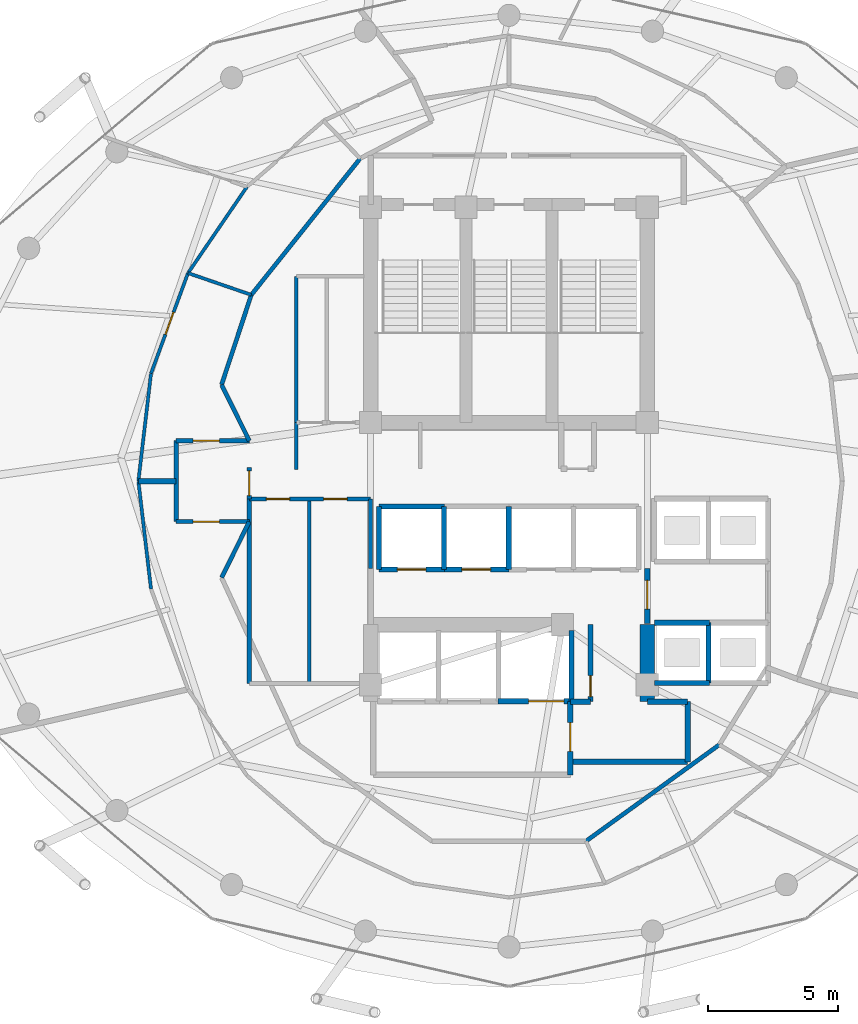
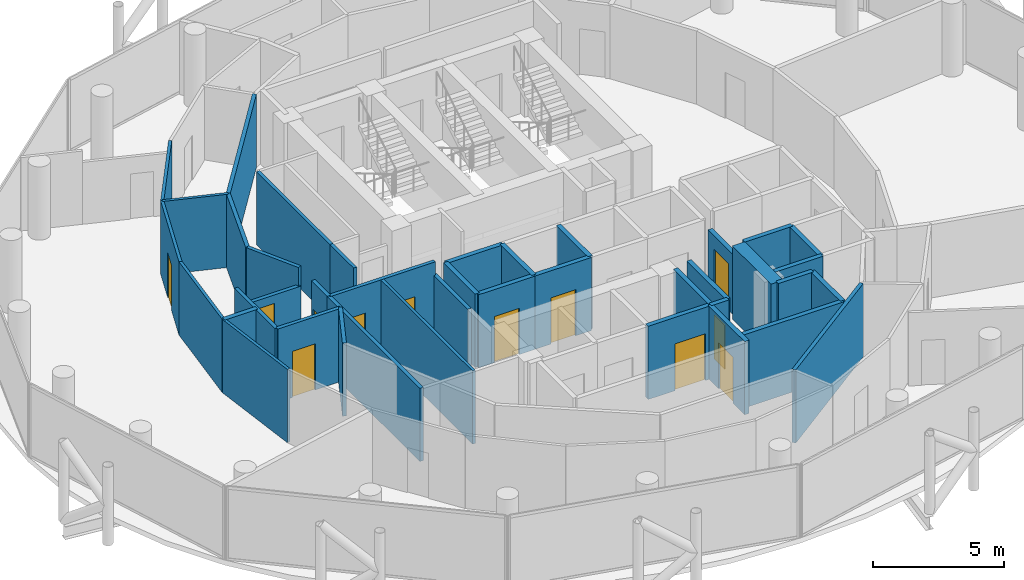
# One storey, part 23 of 27: 40 walls, 12 doors, 12 openings.
"""IFC4 building model written with IfcOpenShell, lengths in metres."""

from ifc_helpers import new_model, si_unit, direction, frame, frame_2d, origin, place, context, subcontext, project, spatial, rectangle, extrude, material, layer, layer_set, type_object, element, fill, save


model = new_model("IFC4")

# Units and contexts
model_context = context("Model", 3, precision=1e-05, world=origin(), true_north=direction((0.0, 1.0)))
body_context = subcontext(model_context, "Body", "Model", "MODEL_VIEW")
ifc_project = project(units=[si_unit("LENGTHUNIT", "METRE"), si_unit("AREAUNIT", "SQUARE_METRE"), si_unit("VOLUMEUNIT", "CUBIC_METRE"), si_unit("PLANEANGLEUNIT", "RADIAN"), si_unit("MASSUNIT", "GRAM", prefix="KILO")], contexts=[model_context])

# Site, building, storey
site_placement = place(None, origin())
site = spatial("IfcSite", under=ifc_project, at=site_placement, CompositionType="ELEMENT")
building_placement = place(site_placement, origin())
building = spatial("IfcBuilding", under=site, at=building_placement, Name="Nuhasar Tower", CompositionType="ELEMENT")
storey_placement = place(building_placement, frame((0.0, 0.0, 208.14990234375)))
storey = spatial("IfcBuildingStorey", under=building, at=storey_placement, Name="L50", CompositionType="ELEMENT", Elevation=208.14990234375)

# Walls
ifc_material_1 = material(Name="Concrete C55/67", Category="concrete")
ifc_layer_1 = layer(ifc_material_1, 0.550048828125)
ifc_layer_set_1 = layer_set([ifc_layer_1], Name="Concrete C55/67")
wall_type_1 = type_object("IfcWallType", Name="WL-CORE-550", PredefinedType="SHEAR", material=ifc_layer_set_1)
wall_1_placement = place(storey_placement, frame((44.300048828125, 18.35009765625, 0.0), z_axis=(0.0, 0.0, 1.0), x_axis=(0.0, 1.0, 0.0)))
element("IfcWall", 1, at=wall_1_placement, inside=storey, type_object=wall_type_1, Name="L50 Core Shear Wall CW-SE CW-550", PredefinedType="SHEAR", context=body_context, shape_type="SweptSolid", body=[
    extrude(rectangle(XDim=2.949951171875, YDim=0.550048828125, at=frame_2d((1.47509765625, 0.0))), origin(), (0.0, 0.0, 1.0), 3.41015625),
])
ifc_material_2 = material(Name="Gypsum Board", Category="gypsum")
ifc_layer_2 = layer(ifc_material_2, 0.159912109375)
ifc_layer_set_2 = layer_set([ifc_layer_2], Name="Gypsum Board")
wall_type_2 = type_object("IfcWallType", Name="WL-CORR-160", PredefinedType="PARTITIONING", material=ifc_layer_set_2)
wall_2_placement = place(storey_placement, frame((29.050048828125, 19.050048828125, 0.0), z_axis=(0.0, 0.0, 1.0), x_axis=(0.0, 1.0, 0.0)))
element("IfcWall", 2, at=wall_2_placement, inside=storey, type_object=wall_type_2, Name="L50 Interior Partition RECL-B1-W", PredefinedType="PARTITIONING", context=body_context, shape_type="SweptSolid", body=[
    extrude(rectangle(XDim=7.070068359375, YDim=0.159912109375, at=frame_2d((3.53515625, 0.0))), origin(), (0.0, 0.0, 1.0), 3.41015625),
])
wall_3_placement = place(storey_placement, frame((33.699951171875, 23.449951171875, 0.0), z_axis=(0.0, 0.0, 1.0), x_axis=(0.0, 1.0, 0.0)))
element("IfcWall", 3, at=wall_3_placement, inside=storey, type_object=wall_type_2, Name="L50 Interior Partition RECL-B1-E", PredefinedType="PARTITIONING", context=body_context, shape_type="SweptSolid", body=[
    extrude(rectangle(XDim=2.670166015625, YDim=0.159912109375, at=frame_2d((1.3349609375, 0.0))), origin(), (0.0, 0.0, 1.0), 2.795166015625),
])

# Wall, openings, doors
wall_4_placement = place(storey_placement, frame((33.699951171875, 26.1201171875, 0.0), z_axis=(0.0, 0.0, 1.0), x_axis=(-1.0, 0.0, 0.0)))
wall_4 = element("IfcWall", 4, at=wall_4_placement, inside=storey, type_object=wall_type_2, Name="L50 Interior Partition RECL-B1-N", PredefinedType="PARTITIONING", context=body_context, shape_type="SweptSolid", body=[
    extrude(rectangle(XDim=4.64990234375, YDim=0.159912109375, at=frame_2d((2.324951171875, 0.0))), origin(), (0.0, 0.0, 1.0), 3.41015625),
])
opening_1_placement = place(wall_4_placement, frame((3.10009765625, 0.0, 0.0)))
opening_1 = element("IfcOpeningElement", 5, at=opening_1_placement, cuts=wall_4, Name="Opening DR-01", PredefinedType="OPENING", context=body_context, shape_type="SweptSolid", body=[
    extrude(rectangle(XDim=0.89990234375, YDim=2.10009765625, at=frame_2d((0.449951171875, 1.050048828125))), frame((0.0, 0.08984375, 0.0), z_axis=(0.0, -1.0, 0.0), x_axis=(1.0, 0.0, 0.0)), (0.0, 0.0, 1.0), 0.179931640625),
])
opening_2_placement = place(wall_4_placement, frame((0.89990234375, 0.0, 0.0)))
opening_2 = element("IfcOpeningElement", 6, at=opening_2_placement, cuts=wall_4, Name="Opening DR-01", PredefinedType="OPENING", context=body_context, shape_type="SweptSolid", body=[
    extrude(rectangle(XDim=0.89990234375, YDim=2.10009765625, at=frame_2d((0.449951171875, 1.050048828125))), frame((0.0, 0.08984375, 0.0), z_axis=(0.0, -1.0, 0.0), x_axis=(1.0, 0.0, 0.0)), (0.0, 0.0, 1.0), 0.179931640625),
])
ifc_material_3 = material(Name="Timber Oak", Category="wood")
door_type_1 = type_object("IfcDoorType", Name="DR-ROOM-900", OperationType="NOTDEFINED", PredefinedType="DOOR", material=ifc_material_3)
door_1_placement = place(opening_1_placement, origin())
door_1 = element("IfcDoor", 7, at=door_1_placement, inside=storey, type_object=door_type_1, Name="L50 Housekeeping Door", OperationType="SINGLE_SWING_RIGHT", OverallHeight=2.10009765625, OverallWidth=0.89990234375, PredefinedType="DOOR", context=body_context, shape_type="SweptSolid", body=[
    extrude(rectangle(XDim=0.89990234375, YDim=2.10009765625, at=frame_2d((0.449951171875, 1.050048828125))), frame((0.0, 0.02490234375, 0.0), z_axis=(0.0, -1.0, 0.0), x_axis=(1.0, 0.0, 0.0)), (0.0, 0.0, 1.0), 0.050048828125),
])
fill(opening_1, door_1)
door_2_placement = place(opening_2_placement, origin())
door_2 = element("IfcDoor", 8, at=door_2_placement, inside=storey, type_object=door_type_1, Name="L50 Valet Pantry Door", OperationType="SINGLE_SWING_LEFT", OverallHeight=2.10009765625, OverallWidth=0.89990234375, PredefinedType="DOOR", context=body_context, shape_type="SweptSolid", body=[
    extrude(rectangle(XDim=0.89990234375, YDim=2.10009765625, at=frame_2d((0.449951171875, 1.050048828125))), frame((0.0, 0.02490234375, 0.0), z_axis=(0.0, -1.0, 0.0), x_axis=(1.0, 0.0, 0.0)), (0.0, 0.0, 1.0), 0.050048828125),
])
fill(opening_2, door_2)

# Wall, opening, door
wall_5_placement = place(storey_placement, frame((29.050048828125, 26.1201171875, 0.0), z_axis=(0.0, 0.0, 1.0), x_axis=(0.0, 1.0, 0.0)))
wall_5 = element("IfcWall", 9, at=wall_5_placement, inside=storey, type_object=wall_type_2, Name="L50 Interior Partition WVEST-E", PredefinedType="PARTITIONING", context=body_context, shape_type="SweptSolid", body=[
    extrude(rectangle(XDim=1.199951171875, YDim=0.159912109375, at=frame_2d((0.60009765625, 0.0))), origin(), (0.0, 0.0, 1.0), 3.41015625),
])
opening_3_placement = place(wall_5_placement, frame((0.125, 0.0, 0.0)))
opening_3 = element("IfcOpeningElement", 10, at=opening_3_placement, cuts=wall_5, Name="Opening DO-01", PredefinedType="OPENING", context=body_context, shape_type="SweptSolid", body=[
    extrude(rectangle(XDim=0.949951171875, YDim=2.14990234375, at=frame_2d((0.47509765625, 1.074951171875))), frame((0.0, 0.08984375, 0.0), z_axis=(0.0, -1.0, 0.0), x_axis=(1.0, 0.0, 0.0)), (0.0, 0.0, 1.0), 0.179931640625),
])
door_type_2 = type_object("IfcDoorType", Name="DR-OFFICE-FD30-950", OperationType="NOTDEFINED", PredefinedType="DOOR", material=ifc_material_3)
door_3_placement = place(opening_3_placement, origin())
door_3 = element("IfcDoor", 11, at=door_3_placement, inside=storey, type_object=door_type_2, Name="L50 West Arrival Foyer Core Door", OperationType="SINGLE_SWING_LEFT", OverallHeight=2.14990234375, OverallWidth=0.949951171875, PredefinedType="DOOR", context=body_context, shape_type="SweptSolid", body=[
    extrude(rectangle(XDim=0.949951171875, YDim=2.14990234375, at=frame_2d((0.47509765625, 1.074951171875))), frame((0.0, 0.02490234375, 0.0), z_axis=(0.0, -1.0, 0.0), x_axis=(1.0, 0.0, 0.0)), (0.0, 0.0, 1.0), 0.050048828125),
])
fill(opening_3, door_3)

# Walls
wall_6_placement = place(storey_placement, frame((33.300048828125, 39.1669921875, 0.0), z_axis=(0.0, 0.0, 1.0), x_axis=(-0.623915746766, -0.781491612839, 0.0)))
element("IfcWall", 12, at=wall_6_placement, inside=storey, type_object=wall_type_2, Name="L50 Interior Partition UWEST-CORE-N2-16", PredefinedType="PARTITIONING", context=body_context, shape_type="SweptSolid", body=[
    extrude(rectangle(XDim=6.6884765625, YDim=0.159912109375, at=frame_2d((3.34423828125, 0.0))), origin(), (0.0, 0.0, 1.0), 3.41015625),
])
wall_7_placement = place(storey_placement, frame((29.126953125, 33.93994140625, 0.0), z_axis=(0.0, 0.0, 1.0), x_axis=(-0.313985571683, -0.949427754374, 0.0)))
element("IfcWall", 13, at=wall_7_placement, inside=storey, type_object=wall_type_2, Name="L50 Interior Partition UWEST-CORE-N2-20", PredefinedType="PARTITIONING", context=body_context, shape_type="SweptSolid", body=[
    extrude(rectangle(XDim=3.627197265625, YDim=0.159912109375, at=frame_2d((1.8134765625, 0.0))), origin(), (0.0, 0.0, 1.0), 3.41015625),
])
wall_8_placement = place(storey_placement, frame((41.950927734375, 13.007080078125, 0.0), z_axis=(0.0, 0.0, 1.0), x_axis=(0.810290119061, 0.586028943784, 0.0)))
element("IfcWall", 14, at=wall_8_placement, inside=storey, type_object=wall_type_2, Name="L50 Interior Partition UWEST-CORE-S1-38", PredefinedType="PARTITIONING", context=body_context, shape_type="SweptSolid", body=[
    extrude(rectangle(XDim=6.306396484375, YDim=0.159912109375, at=frame_2d((3.1533203125, 0.0))), origin(), (0.0, 0.0, 1.0), 3.41015625),
])

# Wall, opening, door
wall_9_placement = place(storey_placement, frame((26.25, 28.35009765625, 0.0), z_axis=(0.0, 0.0, 1.0), x_axis=(1.0, 0.0, 0.0)))
wall_9 = element("IfcWall", 15, at=wall_9_placement, inside=storey, type_object=wall_type_2, Name="L50 Interior Partition WVEST-N", PredefinedType="PARTITIONING", context=body_context, shape_type="SweptSolid", body=[
    extrude(rectangle(XDim=2.800048828125, YDim=0.159912109375, at=frame_2d((1.39990234375, 0.0))), origin(), (0.0, 0.0, 1.0), 2.550048828125),
])
opening_4_placement = place(wall_9_placement, frame((0.64990234375, 0.0, 0.0)))
opening_4 = element("IfcOpeningElement", 16, at=opening_4_placement, cuts=wall_9, Name="Opening DU-02", PredefinedType="OPENING", context=body_context, shape_type="SweptSolid", body=[
    extrude(rectangle(XDim=1.0, YDim=2.14990234375, at=frame_2d((0.5, 1.074951171875))), frame((0.0, 0.08984375, 0.0), z_axis=(0.0, -1.0, 0.0), x_axis=(1.0, 0.0, 0.0)), (0.0, 0.0, 1.0), 0.179931640625),
])
door_type_3 = type_object("IfcDoorType", Name="DR-FLAT-FD60-1000", OperationType="NOTDEFINED", PredefinedType="DOOR", material=ifc_material_3)
door_4_placement = place(opening_4_placement, origin())
door_4 = element("IfcDoor", 17, at=door_4_placement, inside=storey, type_object=door_type_3, Name="L50 North-West Sky Home Entrance", OperationType="SINGLE_SWING_LEFT", OverallHeight=2.14990234375, OverallWidth=1.0, PredefinedType="DOOR", context=body_context, shape_type="SweptSolid", body=[
    extrude(rectangle(XDim=1.0, YDim=2.14990234375, at=frame_2d((0.5, 1.074951171875))), frame((0.0, 0.02490234375, 0.0), z_axis=(0.0, -1.0, 0.0), x_axis=(1.0, 0.0, 0.0)), (0.0, 0.0, 1.0), 0.050048828125),
])
fill(opening_4, door_4)

wall_10_placement = place(storey_placement, frame((26.25, 25.25, 0.0), z_axis=(0.0, 0.0, 1.0), x_axis=(1.0, 0.0, 0.0)))
wall_10 = element("IfcWall", 18, at=wall_10_placement, inside=storey, type_object=wall_type_2, Name="L50 Interior Partition WVEST-S", PredefinedType="PARTITIONING", context=body_context, shape_type="SweptSolid", body=[
    extrude(rectangle(XDim=2.800048828125, YDim=0.159912109375, at=frame_2d((1.39990234375, 0.0))), origin(), (0.0, 0.0, 1.0), 3.41015625),
])
opening_5_placement = place(wall_10_placement, frame((0.64990234375, 0.0, 0.0)))
opening_5 = element("IfcOpeningElement", 19, at=opening_5_placement, cuts=wall_10, Name="Opening DU-02", PredefinedType="OPENING", context=body_context, shape_type="SweptSolid", body=[
    extrude(rectangle(XDim=1.0, YDim=2.14990234375, at=frame_2d((0.5, 1.074951171875))), frame((0.0, 0.08984375, 0.0), z_axis=(0.0, -1.0, 0.0), x_axis=(1.0, 0.0, 0.0)), (0.0, 0.0, 1.0), 0.179931640625),
])
door_5_placement = place(opening_5_placement, origin())
door_5 = element("IfcDoor", 20, at=door_5_placement, inside=storey, type_object=door_type_3, Name="L50 South-West Sky Home Entrance", OperationType="SINGLE_SWING_LEFT", OverallHeight=2.14990234375, OverallWidth=1.0, PredefinedType="DOOR", context=body_context, shape_type="SweptSolid", body=[
    extrude(rectangle(XDim=1.0, YDim=2.14990234375, at=frame_2d((0.5, 1.074951171875))), frame((0.0, 0.02490234375, 0.0), z_axis=(0.0, -1.0, 0.0), x_axis=(1.0, 0.0, 0.0)), (0.0, 0.0, 1.0), 0.050048828125),
])
fill(opening_5, door_5)

# Walls
wall_11_placement = place(storey_placement, frame((26.25, 25.25, 0.0), z_axis=(0.0, 0.0, 1.0), x_axis=(0.0, 1.0, 0.0)))
element("IfcWall", 21, at=wall_11_placement, inside=storey, type_object=wall_type_2, Name="L50 Interior Partition WVEST-W", PredefinedType="PARTITIONING", context=body_context, shape_type="SweptSolid", body=[
    extrude(rectangle(XDim=3.10009765625, YDim=0.159912109375, at=frame_2d((1.550048828125, 0.0))), origin(), (0.0, 0.0, 1.0), 3.41015625),
])
for number, where, z_axis, x_axis, name in (
    (22, (27.988037109375, 30.49609375, 0.0), (0.0, 0.0, 1.0), (0.443539160525, -0.896254993337, 0.0), "L50 Interior Partition WVEST-CN"),
    (23, (27.988037109375, 23.10400390625, 0.0), (0.0, 0.0, 1.0), (0.443539160525, 0.896254993337, 0.0), "L50 Interior Partition WVEST-CS"),
):
    element("IfcWall", number, at=place(storey_placement, frame(where, z_axis=z_axis, x_axis=x_axis)), inside=storey, type_object=wall_type_2, Name=name, PredefinedType="PARTITIONING", context=body_context, shape_type="SweptSolid", body=[
        extrude(rectangle(XDim=2.394287109375, YDim=0.159912109375, at=frame_2d((1.197265625, 0.0))), origin(), (0.0, 0.0, 1.0), 3.41015625),
    ])

# Wall, opening, door
ifc_material_4 = material(Name="Concrete C45/55", Category="concrete")
ifc_layer_3 = layer(ifc_material_4, 0.199951171875)
ifc_layer_set_3 = layer_set([ifc_layer_3], Name="Concrete C45/55")
wall_type_3 = type_object("IfcWallType", Name="WL-LOBBY-200", PredefinedType="SOLIDWALL", material=ifc_layer_set_3)
wall_12_placement = place(storey_placement, frame((44.300048828125, 21.35009765625, 0.0), z_axis=(0.0, 0.0, 1.0), x_axis=(0.0, 1.0, 0.0)))
wall_12 = element("IfcWall", 24, at=wall_12_placement, inside=storey, type_object=wall_type_3, Name="L50 Interior Partition LLBH-E", PredefinedType="SOLIDWALL", context=body_context, shape_type="SweptSolid", body=[
    extrude(rectangle(XDim=2.099853515625, YDim=0.199951171875, at=frame_2d((1.0498046875, 0.0))), origin(), (0.0, 0.0, 1.0), 2.795166015625),
])
opening_6_placement = place(wall_12_placement, frame((0.550048828125, 0.0, 0.0)))
opening_6 = element("IfcOpeningElement", 25, at=opening_6_placement, cuts=wall_12, Name="Opening DS-02", PredefinedType="OPENING", context=body_context, shape_type="SweptSolid", body=[
    extrude(rectangle(XDim=1.10009765625, YDim=2.14990234375, at=frame_2d((0.550048828125, 1.074951171875))), frame((0.0, 0.10986328125, 0.0), z_axis=(0.0, -1.0, 0.0), x_axis=(1.0, 0.0, 0.0)), (0.0, 0.0, 1.0), 0.219970703125),
])
ifc_material_5 = material(Name="Steel S355", Category="steel")
door_type_4 = type_object("IfcDoorType", Name="DR-FFL-FD120-1100", OperationType="NOTDEFINED", PredefinedType="DOOR", material=ifc_material_5)
door_6_placement = place(opening_6_placement, origin())
door_6 = element("IfcDoor", 26, at=door_6_placement, inside=storey, type_object=door_type_4, Name="L50 High-Rise Lobby East Door", OperationType="SINGLE_SWING_RIGHT", OverallHeight=2.14990234375, OverallWidth=1.10009765625, PredefinedType="DOOR", context=body_context, shape_type="SweptSolid", body=[
    extrude(rectangle(XDim=1.10009765625, YDim=2.14990234375, at=frame_2d((0.550048828125, 1.074951171875))), frame((0.0, 0.02490234375, 0.0), z_axis=(0.0, -1.0, 0.0), x_axis=(1.0, 0.0, 0.0)), (0.0, 0.0, 1.0), 0.050048828125),
])
fill(opening_6, door_6)

wall_13_placement = place(storey_placement, frame((41.35009765625, 15.550048828125, 0.0), z_axis=(0.0, 0.0, 1.0), x_axis=(0.0, 1.0, 0.0)))
wall_13 = element("IfcWall", 27, at=wall_13_placement, inside=storey, type_object=wall_type_3, Name="L50 Interior Partition FFL-E", PredefinedType="SOLIDWALL", context=body_context, shape_type="SweptSolid", body=[
    extrude(rectangle(XDim=2.800048828125, YDim=0.199951171875, at=frame_2d((1.39990234375, 0.0))), origin(), (0.0, 0.0, 1.0), 3.41015625),
])
opening_7_placement = place(wall_13_placement, frame((0.89990234375, 0.0, 0.0)))
opening_7 = element("IfcOpeningElement", 28, at=opening_7_placement, cuts=wall_13, Name="Opening DS-02", PredefinedType="OPENING", context=body_context, shape_type="SweptSolid", body=[
    extrude(rectangle(XDim=1.10009765625, YDim=2.14990234375, at=frame_2d((0.550048828125, 1.074951171875))), frame((0.0, 0.10986328125, 0.0), z_axis=(0.0, -1.0, 0.0), x_axis=(1.0, 0.0, 0.0)), (0.0, 0.0, 1.0), 0.219970703125),
])
door_7_placement = place(opening_7_placement, origin())
door_7 = element("IfcDoor", 29, at=door_7_placement, inside=storey, type_object=door_type_4, Name="L50 Firefighting Lobby Door", OperationType="SINGLE_SWING_RIGHT", OverallHeight=2.14990234375, OverallWidth=1.10009765625, PredefinedType="DOOR", context=body_context, shape_type="SweptSolid", body=[
    extrude(rectangle(XDim=1.10009765625, YDim=2.14990234375, at=frame_2d((0.550048828125, 1.074951171875))), frame((0.0, 0.02490234375, 0.0), z_axis=(0.0, -1.0, 0.0), x_axis=(1.0, 0.0, 0.0)), (0.0, 0.0, 1.0), 0.050048828125),
])
fill(opening_7, door_7)

# Walls
wall_14_placement = place(storey_placement, frame((41.35009765625, 16.050048828125, 0.0), z_axis=(0.0, 0.0, 1.0), x_axis=(1.0, 0.0, 0.0)))
element("IfcWall", 30, at=wall_14_placement, inside=storey, type_object=wall_type_3, Name="L50 Interior Partition SVLV-S", PredefinedType="SOLIDWALL", context=body_context, shape_type="SweptSolid", body=[
    extrude(rectangle(XDim=4.5, YDim=0.199951171875, at=frame_2d((2.25, 0.0))), origin(), (0.0, 0.0, 1.0), 3.41015625),
])
wall_15_placement = place(storey_placement, frame((45.85009765625, 16.050048828125, 0.0), z_axis=(0.0, 0.0, 1.0), x_axis=(0.0, 1.0, 0.0)))
element("IfcWall", 31, at=wall_15_placement, inside=storey, type_object=wall_type_3, Name="L50 Interior Partition SVLV-E", PredefinedType="SOLIDWALL", context=body_context, shape_type="SweptSolid", body=[
    extrude(rectangle(XDim=2.300048828125, YDim=0.199951171875, at=frame_2d((1.14990234375, 0.0))), origin(), (0.0, 0.0, 1.0), 3.41015625),
])
wall_16_placement = place(storey_placement, frame((44.300048828125, 18.35009765625, 0.0), z_axis=(0.0, 0.0, 1.0), x_axis=(1.0, 0.0, 0.0)))
element("IfcWall", 32, at=wall_16_placement, inside=storey, type_object=wall_type_3, Name="L50 Interior Partition SVLV-N", PredefinedType="SOLIDWALL", context=body_context, shape_type="SweptSolid", body=[
    extrude(rectangle(XDim=1.550048828125, YDim=0.199951171875, at=frame_2d((0.77490234375, 0.0))), origin(), (0.0, 0.0, 1.0), 3.41015625),
])
ifc_layer_4 = layer(ifc_material_2, 0.125)
ifc_layer_set_4 = layer_set([ifc_layer_4], Name="Gypsum Board")
wall_type_4 = type_object("IfcWallType", Name="WL-PART-125", PredefinedType="PARTITIONING", material=ifc_layer_set_4)
wall_17_placement = place(storey_placement, frame((31.35009765625, 19.050048828125, 0.0), z_axis=(0.0, 0.0, 1.0), x_axis=(0.0, 1.0, 0.0)))
element("IfcWall", 33, at=wall_17_placement, inside=storey, type_object=wall_type_4, Name="L50 Interior Partition RECL-B1-V", PredefinedType="PARTITIONING", context=body_context, shape_type="SweptSolid", body=[
    extrude(rectangle(XDim=7.070068359375, YDim=0.125, at=frame_2d((3.53515625, 0.0))), origin(), (0.0, 0.0, 1.0), 3.41015625),
])
wall_18_placement = place(storey_placement, frame((29.126953125, 33.93994140625, 0.0), z_axis=(0.0, 0.0, 1.0), x_axis=(-0.945524617104, 0.325550608124, 0.0)))
element("IfcWall", 34, at=wall_18_placement, inside=storey, type_object=wall_type_4, Name="L50 Interior Partition USI-1-KD", PredefinedType="PARTITIONING", context=body_context, shape_type="SweptSolid", body=[
    extrude(rectangle(XDim=2.564697265625, YDim=0.125, at=frame_2d((1.2822265625, 0.0))), origin(), (0.0, 0.0, 1.0), 3.41015625),
])
wall_19_placement = place(storey_placement, frame((28.958984375, 38.077880859375, 0.0), z_axis=(0.0, 0.0, 1.0), x_axis=(-0.56419813198, -0.825639429697, 0.0)))
element("IfcWall", 35, at=wall_19_placement, inside=storey, type_object=wall_type_4, Name="L50 Interior Partition USM-1-K-18", PredefinedType="PARTITIONING", context=body_context, shape_type="SweptSolid", body=[
    extrude(rectangle(XDim=4.00048828125, YDim=0.125, at=frame_2d((2.000244140625, 0.0))), origin(), (0.0, 0.0, 1.0), 3.41015625),
])

# Wall, opening, door
wall_20_placement = place(storey_placement, frame((25.283935546875, 30.927978515625, 0.0), z_axis=(0.0, 0.0, 1.0), x_axis=(0.345851608983, 0.938289222236, 0.0)))
wall_20 = element("IfcWall", 36, at=wall_20_placement, inside=storey, type_object=wall_type_4, Name="L50 Interior Partition USM-1-D-20", PredefinedType="PARTITIONING", context=body_context, shape_type="SweptSolid", body=[
    extrude(rectangle(XDim=4.099853515625, YDim=0.125, at=frame_2d((2.0498046875, 0.0))), origin(), (0.0, 0.0, 1.0), 3.41015625),
])
opening_8_placement = place(wall_20_placement, frame((1.60009765625, 0.0, 0.0)))
opening_8 = element("IfcOpeningElement", 37, at=opening_8_placement, cuts=wall_20, Name="Opening DR-01", PredefinedType="OPENING", context=body_context, shape_type="SweptSolid", body=[
    extrude(rectangle(XDim=0.89990234375, YDim=2.10009765625, at=frame_2d((0.449951171875, 1.050048828125))), frame((0.0, 0.072509765625, 0.0), z_axis=(0.0, -1.0, 0.0), x_axis=(1.0, 0.0, 0.0)), (0.0, 0.0, 1.0), 0.14501953125),
])
door_8_placement = place(opening_8_placement, origin())
door_8 = element("IfcDoor", 38, at=door_8_placement, inside=storey, type_object=door_type_1, Name="L50 North-West Sky Home Living Door", OperationType="SINGLE_SWING_RIGHT", OverallHeight=2.10009765625, OverallWidth=0.89990234375, PredefinedType="DOOR", context=body_context, shape_type="SweptSolid", body=[
    extrude(rectangle(XDim=0.89990234375, YDim=2.10009765625, at=frame_2d((0.449951171875, 1.050048828125))), frame((0.0, 0.02490234375, 0.0), z_axis=(0.0, -1.0, 0.0), x_axis=(1.0, 0.0, 0.0)), (0.0, 0.0, 1.0), 0.050048828125),
])
fill(opening_8, door_8)

# Walls
for number, where, z_axis, x_axis, name in (
    (39, (25.283935546875, 30.927978515625, 0.0), (0.0, 0.0, 1.0), (-0.116425436493, -0.993199435027, 0.0), "L50 Interior Partition USM-1-D-22"),
    (40, (24.800048828125, 26.800048828125, 0.0), (0.0, 0.0, 1.0), (0.116425436493, -0.993199435027, 0.0), "L50 Interior Partition USM-1-D-24"),
):
    element("IfcWall", number, at=place(storey_placement, frame(where, z_axis=z_axis, x_axis=x_axis)), inside=storey, type_object=wall_type_4, Name=name, PredefinedType="PARTITIONING", context=body_context, shape_type="SweptSolid", body=[
        extrude(rectangle(XDim=4.15625, YDim=0.125, at=frame_2d((2.078125, 0.0))), origin(), (0.0, 0.0, 1.0), 3.41015625),
    ])
ifc_layer_5 = layer(ifc_material_4, 0.199951171875)
ifc_layer_set_5 = layer_set([ifc_layer_5], Name="Concrete C45/55")
wall_type_5 = type_object("IfcWallType", Name="WL-SHAFT-200", PredefinedType="SOLIDWALL", material=ifc_layer_set_5)
for number, where, z_axis, x_axis, name in (
    (41, (44.570068359375, 19.070068359375, 0.0), (0.0, 0.0, 1.0), (1.0, 0.0, 0.0), "L50 Interior Partition SHF-PL-M03-S"),
    (42, (44.570068359375, 21.3798828125, 0.0), (0.0, 0.0, 1.0), (1.0, 0.0, 0.0), "L50 Interior Partition SHF-PL-M03-N"),
):
    element("IfcWall", number, at=place(storey_placement, frame(where, z_axis=z_axis, x_axis=x_axis)), inside=storey, type_object=wall_type_5, Name=name, PredefinedType="SOLIDWALL", context=body_context, shape_type="SweptSolid", body=[
        extrude(rectangle(XDim=2.10986328125, YDim=0.199951171875, at=frame_2d((1.054931640625, 0.0))), origin(), (0.0, 0.0, 1.0), 3.41015625),
    ])
wall_21_placement = place(storey_placement, frame((46.64990234375, 19.070068359375, 0.0), z_axis=(0.0, 0.0, 1.0), x_axis=(0.0, 1.0, 0.0)))
element("IfcWall", 43, at=wall_21_placement, inside=storey, type_object=wall_type_5, Name="L50 Interior Partition SHF-PL-M03-E", PredefinedType="SOLIDWALL", context=body_context, shape_type="SweptSolid", body=[
    extrude(rectangle(XDim=2.309814453125, YDim=0.199951171875, at=frame_2d((1.15478515625, 0.0))), origin(), (0.0, 0.0, 1.0), 3.41015625),
])

# Wall, opening, door
wall_22_placement = place(storey_placement, frame((34.02001953125, 23.419921875, 0.0), z_axis=(0.0, 0.0, 1.0), x_axis=(1.0, 0.0, 0.0)))
wall_22 = element("IfcWall", 44, at=wall_22_placement, inside=storey, type_object=wall_type_5, Name="L50 Interior Partition SHF-PL-H01-S", PredefinedType="SOLIDWALL", context=body_context, shape_type="SweptSolid", body=[
    extrude(rectangle(XDim=2.5, YDim=0.199951171875, at=frame_2d((1.25, 0.0))), origin(), (0.0, 0.0, 1.0), 3.41015625),
])
opening_9_placement = place(wall_22_placement, frame((0.699951171875, 0.0, 0.0)))
opening_9 = element("IfcOpeningElement", 45, at=opening_9_placement, cuts=wall_22, Name="Opening LD-H01", PredefinedType="OPENING", context=body_context, shape_type="SweptSolid", body=[
    extrude(rectangle(XDim=1.10009765625, YDim=2.14990234375, at=frame_2d((0.550048828125, 1.074951171875))), frame((0.0, 0.10986328125, 0.0), z_axis=(0.0, -1.0, 0.0), x_axis=(1.0, 0.0, 0.0)), (0.0, 0.0, 1.0), 0.219970703125),
])
ifc_material_6 = material(Name="Stainless Steel 316L", Category="steel")
door_type_5 = type_object("IfcDoorType", Name="LD-PAX-1100", OperationType="DOUBLE_DOOR_SLIDING", PredefinedType="DOOR", material=ifc_material_6)
door_9_placement = place(opening_9_placement, origin())
door_9 = element("IfcDoor", 46, at=door_9_placement, inside=storey, type_object=door_type_5, Name="L50 Lift Landing Door PL-H01", OperationType="DOUBLE_DOOR_SLIDING", OverallHeight=2.14990234375, OverallWidth=1.10009765625, PredefinedType="DOOR", context=body_context, shape_type="SweptSolid", body=[
    extrude(rectangle(XDim=1.10009765625, YDim=2.14990234375, at=frame_2d((0.550048828125, 1.074951171875))), frame((0.0, 0.02490234375, 0.0), z_axis=(0.0, -1.0, 0.0), x_axis=(1.0, 0.0, 0.0)), (0.0, 0.0, 1.0), 0.050048828125),
])
fill(opening_9, door_9)

# Walls
wall_23_placement = place(storey_placement, frame((34.02001953125, 25.830078125, 0.0), z_axis=(0.0, 0.0, 1.0), x_axis=(1.0, 0.0, 0.0)))
element("IfcWall", 47, at=wall_23_placement, inside=storey, type_object=wall_type_5, Name="L50 Interior Partition SHF-PL-H01-N", PredefinedType="SOLIDWALL", context=body_context, shape_type="SweptSolid", body=[
    extrude(rectangle(XDim=2.5, YDim=0.199951171875, at=frame_2d((1.25, 0.0))), origin(), (0.0, 0.0, 1.0), 3.41015625),
])
for number, where, z_axis, x_axis, name in (
    (48, (34.02001953125, 23.419921875, 0.0), (0.0, 0.0, 1.0), (0.0, 1.0, 0.0), "L50 Interior Partition SHF-PL-H01-W"),
    (49, (36.510009765625, 23.419921875, 0.0), (0.0, 0.0, 1.0), (0.0, 1.0, 0.0), "L50 Interior Partition SHF-PL-H01-E"),
):
    element("IfcWall", number, at=place(storey_placement, frame(where, z_axis=z_axis, x_axis=x_axis)), inside=storey, type_object=wall_type_5, Name=name, PredefinedType="SOLIDWALL", context=body_context, shape_type="SweptSolid", body=[
        extrude(rectangle(XDim=2.41015625, YDim=0.199951171875, at=frame_2d((1.205078125, 0.0))), origin(), (0.0, 0.0, 1.0), 3.41015625),
    ])

# Wall, opening, door
wall_24_placement = place(storey_placement, frame((36.5, 23.419921875, 0.0), z_axis=(0.0, 0.0, 1.0), x_axis=(1.0, 0.0, 0.0)))
wall_24 = element("IfcWall", 50, at=wall_24_placement, inside=storey, type_object=wall_type_5, Name="L50 Interior Partition SHF-PL-H02-S", PredefinedType="SOLIDWALL", context=body_context, shape_type="SweptSolid", body=[
    extrude(rectangle(XDim=2.5, YDim=0.199951171875, at=frame_2d((1.25, 0.0))), origin(), (0.0, 0.0, 1.0), 3.41015625),
])
opening_10_placement = place(wall_24_placement, frame((0.699951171875, 0.0, 0.0)))
opening_10 = element("IfcOpeningElement", 51, at=opening_10_placement, cuts=wall_24, Name="Opening LD-H02", PredefinedType="OPENING", context=body_context, shape_type="SweptSolid", body=[
    extrude(rectangle(XDim=1.10009765625, YDim=2.14990234375, at=frame_2d((0.550048828125, 1.074951171875))), frame((0.0, 0.10986328125, 0.0), z_axis=(0.0, -1.0, 0.0), x_axis=(1.0, 0.0, 0.0)), (0.0, 0.0, 1.0), 0.219970703125),
])
door_10_placement = place(opening_10_placement, origin())
door_10 = element("IfcDoor", 52, at=door_10_placement, inside=storey, type_object=door_type_5, Name="L50 Lift Landing Door PL-H02", OperationType="DOUBLE_DOOR_SLIDING", OverallHeight=2.14990234375, OverallWidth=1.10009765625, PredefinedType="DOOR", context=body_context, shape_type="SweptSolid", body=[
    extrude(rectangle(XDim=1.10009765625, YDim=2.14990234375, at=frame_2d((0.550048828125, 1.074951171875))), frame((0.0, 0.02490234375, 0.0), z_axis=(0.0, -1.0, 0.0), x_axis=(1.0, 0.0, 0.0)), (0.0, 0.0, 1.0), 0.050048828125),
])
fill(opening_10, door_10)

# Wall
wall_25_placement = place(storey_placement, frame((38.989990234375, 23.419921875, 0.0), z_axis=(0.0, 0.0, 1.0), x_axis=(0.0, 1.0, 0.0)))
element("IfcWall", 53, at=wall_25_placement, inside=storey, type_object=wall_type_5, Name="L50 Interior Partition SHF-PL-H02-E", PredefinedType="SOLIDWALL", context=body_context, shape_type="SweptSolid", body=[
    extrude(rectangle(XDim=2.41015625, YDim=0.199951171875, at=frame_2d((1.205078125, 0.0))), origin(), (0.0, 0.0, 1.0), 3.41015625),
])

# Wall, opening, door
wall_26_placement = place(storey_placement, frame((38.570068359375, 18.3701171875, 0.0), z_axis=(0.0, 0.0, 1.0), x_axis=(1.0, 0.0, 0.0)))
wall_26 = element("IfcWall", 54, at=wall_26_placement, inside=storey, type_object=wall_type_5, Name="L50 Interior Partition SHF-SVL-01-S", PredefinedType="SOLIDWALL", context=body_context, shape_type="SweptSolid", body=[
    extrude(rectangle(XDim=2.829833984375, YDim=0.199951171875, at=frame_2d((1.4150390625, 0.0))), origin(), (0.0, 0.0, 1.0), 3.41015625),
])
opening_11_placement = place(wall_26_placement, frame((1.179931640625, 0.0, 0.0)))
opening_11 = element("IfcOpeningElement", 55, at=opening_11_placement, cuts=wall_26, Name="Opening LD-S01", PredefinedType="OPENING", context=body_context, shape_type="SweptSolid", body=[
    extrude(rectangle(XDim=1.35009765625, YDim=2.179931640625, at=frame_2d((0.675048828125, 1.08984375))), frame((0.0, 0.10986328125, 0.0), z_axis=(0.0, -1.0, 0.0), x_axis=(1.0, 0.0, 0.0)), (0.0, 0.0, 1.0), 0.219970703125),
])
door_type_6 = type_object("IfcDoorType", Name="LD-SVL-1350", OperationType="DOUBLE_DOOR_SLIDING", PredefinedType="DOOR", material=ifc_material_6)
door_11_placement = place(opening_11_placement, origin())
door_11 = element("IfcDoor", 56, at=door_11_placement, inside=storey, type_object=door_type_6, Name="L50 Lift Landing Door SVL-01", OperationType="DOUBLE_DOOR_SLIDING", OverallHeight=2.179931640625, OverallWidth=1.35009765625, PredefinedType="DOOR", context=body_context, shape_type="SweptSolid", body=[
    extrude(rectangle(XDim=1.35009765625, YDim=2.179931640625, at=frame_2d((0.675048828125, 1.08984375))), frame((0.0, 0.02490234375, 0.0), z_axis=(0.0, -1.0, 0.0), x_axis=(1.0, 0.0, 0.0)), (0.0, 0.0, 1.0), 0.050048828125),
])
fill(opening_11, door_11)

# Wall
wall_27_placement = place(storey_placement, frame((41.39990234375, 18.3701171875, 0.0), z_axis=(0.0, 0.0, 1.0), x_axis=(0.0, 1.0, 0.0)))
element("IfcWall", 57, at=wall_27_placement, inside=storey, type_object=wall_type_5, Name="L50 Interior Partition SHF-SVL-01-E", PredefinedType="SOLIDWALL", context=body_context, shape_type="SweptSolid", body=[
    extrude(rectangle(XDim=2.7099609375, YDim=0.199951171875, at=frame_2d((1.35498046875, 0.0))), origin(), (0.0, 0.0, 1.0), 3.41015625),
])

# Wall, opening, door
wall_28_placement = place(storey_placement, frame((42.1201171875, 18.35009765625, 0.0), z_axis=(0.0, 0.0, 1.0), x_axis=(0.0, 1.0, 0.0)))
wall_28 = element("IfcWall", 58, at=wall_28_placement, inside=storey, type_object=wall_type_5, Name="L50 Interior Partition RSR-E", PredefinedType="SOLIDWALL", context=body_context, shape_type="SweptSolid", body=[
    extrude(rectangle(XDim=2.949951171875, YDim=0.199951171875, at=frame_2d((1.47509765625, 0.0))), origin(), (0.0, 0.0, 1.0), 3.41015625),
])
opening_12_placement = place(wall_28_placement, frame((0.199951171875, 0.0, 0.0)))
opening_12 = element("IfcOpeningElement", 59, at=opening_12_placement, cuts=wall_28, Name="Opening DM-01", PredefinedType="OPENING", context=body_context, shape_type="SweptSolid", body=[
    extrude(rectangle(XDim=0.800048828125, YDim=2.050048828125, at=frame_2d((0.39990234375, 1.02490234375))), frame((0.0, 0.10986328125, 0.0), z_axis=(0.0, -1.0, 0.0), x_axis=(1.0, 0.0, 0.0)), (0.0, 0.0, 1.0), 0.219970703125),
])
door_type_7 = type_object("IfcDoorType", Name="DR-RISER-FD60-800", OperationType="NOTDEFINED", PredefinedType="DOOR", material=ifc_material_5)
door_12_placement = place(opening_12_placement, origin())
door_12 = element("IfcDoor", 60, at=door_12_placement, inside=storey, type_object=door_type_7, Name="L50 MEP Riser Access Door", OperationType="SINGLE_SWING_LEFT", OverallHeight=2.050048828125, OverallWidth=0.800048828125, PredefinedType="DOOR", context=body_context, shape_type="SweptSolid", body=[
    extrude(rectangle(XDim=0.800048828125, YDim=2.050048828125, at=frame_2d((0.39990234375, 1.02490234375))), frame((0.0, 0.02490234375, 0.0), z_axis=(0.0, -1.0, 0.0), x_axis=(1.0, 0.0, 0.0)), (0.0, 0.0, 1.0), 0.050048828125),
])
fill(opening_12, door_12)

# Walls
wall_29_placement = place(storey_placement, frame((41.35009765625, 18.35009765625, 0.0), z_axis=(0.0, 0.0, 1.0), x_axis=(1.0, 0.0, 0.0)))
element("IfcWall", 61, at=wall_29_placement, inside=storey, type_object=wall_type_5, Name="L50 Interior Partition RSR-S", PredefinedType="SOLIDWALL", context=body_context, shape_type="SweptSolid", body=[
    extrude(rectangle(XDim=0.77001953125, YDim=0.199951171875, at=frame_2d((0.385009765625, 0.0))), origin(), (0.0, 0.0, 1.0), 3.41015625),
])
ifc_material_7 = material(Name="Concrete C40/50 precast", Category="concrete")
ifc_layer_6 = layer(ifc_material_7, 0.199951171875)
ifc_layer_set_6 = layer_set([ifc_layer_6], Name="Concrete C40/50 precast")
wall_type_6 = type_object("IfcWallType", Name="WL-UNIT-200", PredefinedType="PARTITIONING", material=ifc_layer_set_6)
wall_30_placement = place(storey_placement, frame((26.25, 26.800048828125, 0.0), z_axis=(0.0, 0.0, 1.0), x_axis=(-1.0, 0.0, 0.0)))
element("IfcWall", 62, at=wall_30_placement, inside=storey, type_object=wall_type_6, Name="L50 Interior Partition UWEST-PARTY-IN", PredefinedType="PARTITIONING", context=body_context, shape_type="SweptSolid", body=[
    extrude(rectangle(XDim=1.449951171875, YDim=0.199951171875, at=frame_2d((0.72509765625, 0.0))), origin(), (0.0, 0.0, 1.0), 3.41015625),
])
ifc_layer_7 = layer(ifc_material_7, 0.139892578125)
ifc_layer_set_7 = layer_set([ifc_layer_7], Name="Concrete C40/50 precast")
wall_type_7 = type_object("IfcWallType", Name="WL-WET-140", PredefinedType="PARTITIONING", material=ifc_layer_set_7)
wall_31_placement = place(storey_placement, frame((30.85009765625, 27.239990234375, 0.0), z_axis=(0.0, 0.0, 1.0), x_axis=(0.0, 1.0, 0.0)))
element("IfcWall", 63, at=wall_31_placement, inside=storey, type_object=wall_type_7, Name="L50 Interior Partition K2-FOY-W", PredefinedType="PARTITIONING", context=body_context, shape_type="SweptSolid", body=[
    extrude(rectangle(XDim=1.81005859375, YDim=0.139892578125, at=frame_2d((0.905029296875, 0.0))), origin(), (0.0, 0.0, 1.0), 3.41015625),
])
wall_32_placement = place(storey_placement, frame((30.85009765625, 29.050048828125, 0.0), z_axis=(0.0, 0.0, 1.0), x_axis=(0.0, 1.0, 0.0)))
element("IfcWall", 64, at=wall_32_placement, inside=storey, type_object=wall_type_7, Name="L50 Interior Partition K2-NW-W", PredefinedType="PARTITIONING", context=body_context, shape_type="SweptSolid", body=[
    extrude(rectangle(XDim=5.599853515625, YDim=0.139892578125, at=frame_2d((2.7998046875, 0.0))), origin(), (0.0, 0.0, 1.0), 3.41015625),
])

save(model, "model.ifc")
